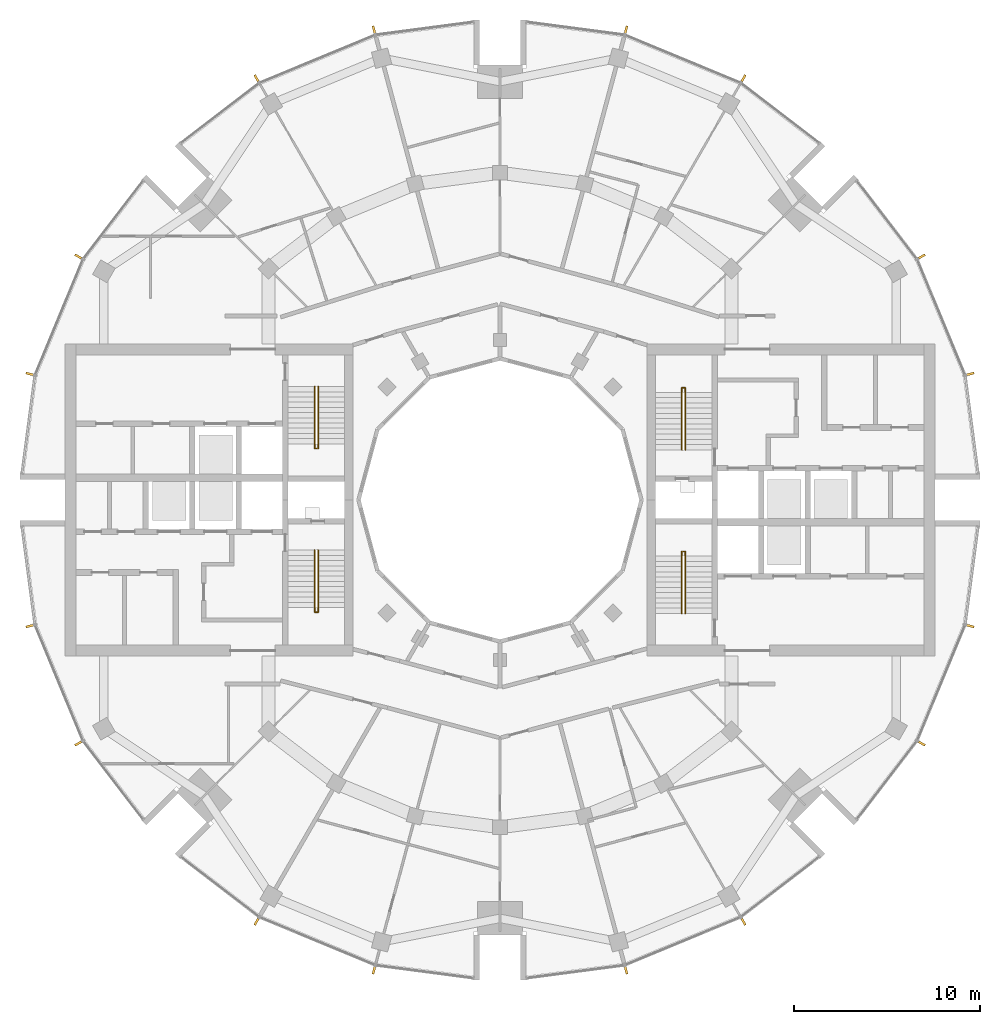
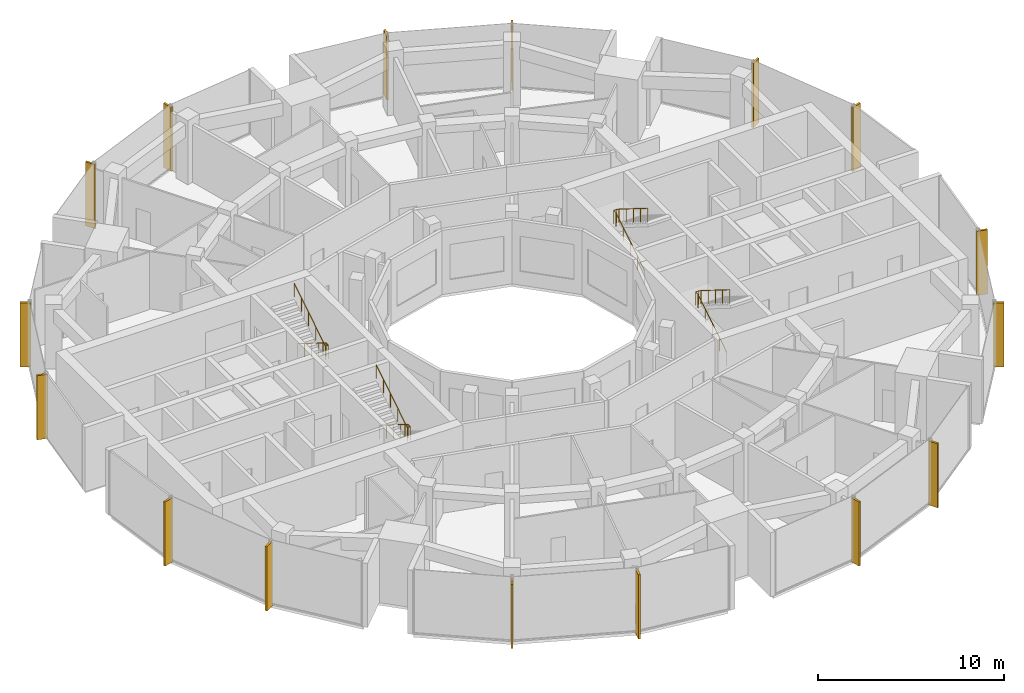
# One storey, part 14 of 15: 16 shading devices, 4 railings.
"""IFC4 building model written with IfcOpenShell, lengths in metres."""

import ifcopenshell
import ifcopenshell.guid

model = None  # the IFC model being written
_history = None  # IfcOwnerHistory: only IFC2X3 demands one
_inside = {}  # id of a spatial element -> (the spatial element, [elements in it])
_under = {}  # id of a project, library or spatial element -> (it, [spatial elements below it])
_declared = {}  # id of a project -> (the project, [libraries it declares])
_typed = {}  # id of a type object -> (the type object, [elements of that type])
_made_of = {}  # id of a material, layer set ... -> (it, [elements and type objects made of it])


def new_model(schema):
    """Start an empty IFC model of exactly this schema.

    Asked for "IFC4X3", IfcOpenShell would pick the latest addendum, in which some entities
    have other attributes; the version numbers below select the first issue.
    IFC2X3 requires an IfcOwnerHistory on every rooted entity: one is made here for all.
    """
    global model, _history
    if schema == "IFC4X3":
        model = ifcopenshell.file(schema_version=(4, 3, 0, 0))
    else:
        model = ifcopenshell.file(schema=schema)
    _inside.clear()
    _under.clear()
    _declared.clear()
    _typed.clear()
    _made_of.clear()
    _history = None
    if model.schema == "IFC2X3":
        org = make("IfcOrganization", Name="unknown")
        user = make(
            "IfcPersonAndOrganization",
            ThePerson=make("IfcPerson", FamilyName="unknown"),
            TheOrganization=org,
        )
        app = make(
            "IfcApplication",
            ApplicationDeveloper=org,
            Version="unknown",
            ApplicationFullName="unknown",
            ApplicationIdentifier="unknown",
        )
        _history = make(
            "IfcOwnerHistory",
            OwningUser=user,
            OwningApplication=app,
            ChangeAction="ADDED",
            CreationDate=0,
        )
    return model


def make(cls, **values):
    """One entity of the class cls with the attributes given. An attribute that is None is left unset."""
    return model.create_entity(
        cls, **{name: value for name, value in values.items() if value is not None}
    )


def rooted(cls, **values):
    """An entity with a GlobalId (a new one), such as an element, a storey or a relation."""
    return make(cls, GlobalId=ifcopenshell.guid.new(), OwnerHistory=_history, **values)


def si_unit(unit_type, name, prefix=None):
    """IfcSIUnit, for example si_unit("LENGTHUNIT", "METRE", prefix="MILLI")."""
    return make("IfcSIUnit", UnitType=unit_type, Prefix=prefix, Name=name)


def assignment(units):
    """IfcUnitAssignment: the units of a project."""
    return None if units is None else make("IfcUnitAssignment", Units=units)


def point(xyz):
    """IfcCartesianPoint."""
    return None if xyz is None else make("IfcCartesianPoint", Coordinates=xyz)


def direction(xyz):
    """IfcDirection."""
    return None if xyz is None else make("IfcDirection", DirectionRatios=xyz)


def frame(location, z_axis=None, x_axis=None):
    """IfcAxis2Placement3D, a coordinate frame: its origin and axes. An axis left out is left unset."""
    return make(
        "IfcAxis2Placement3D",
        Location=point(location),
        Axis=direction(z_axis),
        RefDirection=direction(x_axis),
    )


def frame_2d(location, x_axis=None):
    """IfcAxis2Placement2D, a coordinate frame in the plane: its origin and x axis."""
    return make(
        "IfcAxis2Placement2D", Location=point(location), RefDirection=direction(x_axis)
    )


def origin():
    """The frame at (0, 0, 0) with its axes left unset."""
    return frame((0.0, 0.0, 0.0))


def origin_2d():
    """The frame at (0, 0) in the plane with its x axis left unset."""
    return frame_2d((0.0, 0.0))


def place(relative_to, where):
    """IfcLocalPlacement: puts the frame where relative to a parent placement (None: the world)."""
    return make(
        "IfcLocalPlacement", PlacementRelTo=relative_to, RelativePlacement=where
    )


def context(
    kind, dimensions, precision=None, world=None, true_north=None, identifier=None
):
    """IfcGeometricRepresentationContext, for example the 3D "Model" context."""
    return make(
        "IfcGeometricRepresentationContext",
        ContextIdentifier=identifier,
        ContextType=kind,
        CoordinateSpaceDimension=dimensions,
        Precision=precision,
        WorldCoordinateSystem=world,
        TrueNorth=true_north,
    )


def subcontext(parent, identifier, kind, view, scale=None):
    """IfcGeometricRepresentationSubContext, for example "Body" below "Model"."""
    return make(
        "IfcGeometricRepresentationSubContext",
        ContextIdentifier=identifier,
        ContextType=kind,
        ParentContext=parent,
        TargetScale=scale,
        TargetView=view,
    )


def project(units=None, contexts=None):
    """IfcProject with its units and contexts."""
    return rooted(
        "IfcProject",
        Name="project",
        RepresentationContexts=contexts,
        UnitsInContext=assignment(units),
    )


def spatial(cls, under=None, at=None, **own):
    """A site, building, storey or space (cls), placed at a placement, below another one or the project."""
    s = rooted(cls, ObjectPlacement=at, **own)
    if under is not None:
        _under.setdefault(under.id(), (under, []))[1].append(s)
    return s


def profile(cls, at=None, kind="AREA", **sizes):
    """A parametric profile (cls). Its sizes go by their IFC names, for example OverallWidth=200.0."""
    return make(cls, ProfileType=kind, Position=at, **sizes)


def rectangle(**sizes):
    """IfcRectangleProfileDef."""
    return profile("IfcRectangleProfileDef", **sizes)


def circle(**sizes):
    """IfcCircleProfileDef."""
    return profile("IfcCircleProfileDef", **sizes)


def extrude(swept, where, along, depth):
    """IfcExtrudedAreaSolid: the profile swept, set in the frame where, extruded along a direction by depth."""
    return make(
        "IfcExtrudedAreaSolid",
        SweptArea=swept,
        Position=where,
        ExtrudedDirection=direction(along),
        Depth=depth,
    )


def shape(context_of_items, identifier, shape_type, items):
    """IfcShapeRepresentation: the items that make up one representation, for example the "Body"."""
    return make(
        "IfcShapeRepresentation",
        ContextOfItems=context_of_items,
        RepresentationIdentifier=identifier,
        RepresentationType=shape_type,
        Items=items,
    )


def material(Name=None, Category=None):
    """IfcMaterial."""
    return make("IfcMaterial", Name=Name, Category=Category)


def material_profile(
    of_material, cross_section, Name=None, Category=None, Priority=None
):
    """IfcMaterialProfile: a cross section and its material."""
    return make(
        "IfcMaterialProfile",
        Name=Name,
        Material=of_material,
        Profile=cross_section,
        Priority=Priority,
        Category=Category,
    )


def profile_set(profiles, Name=None, composite=None):
    """IfcMaterialProfileSet."""
    return make(
        "IfcMaterialProfileSet",
        Name=Name,
        MaterialProfiles=profiles,
        CompositeProfile=composite,
    )


def made_of(thing, what):
    """Note that an element or type object is made of a material, layer set ...; save() writes the relation."""
    if what is not None:
        _made_of.setdefault(what.id(), (what, []))[1].append(thing)
    return thing


def type_object(cls, material=None, **own):
    """A type object (cls), such as IfcWallType, which elements share."""
    return made_of(rooted(cls, **own), material)


def element(
    cls,
    number,
    at=None,
    inside=None,
    cuts=None,
    type_object=None,
    material=None,
    context=None,
    identifier="Body",
    shape_type=None,
    held_by="IfcProductDefinitionShape",
    body=None,
    shapes=None,
    **own,
):
    """One element of the class cls, such as IfcWall. Its Tag is "e" and its number.

    at: its placement. inside: the storey or other place that contains it. cuts: it is an
    opening in that element (IfcRelVoidsElement). A single representation is given by context,
    identifier, shape_type and body (its items); several are given by shapes. held_by: the class
    of the entity that holds the representations. save() writes the other relations.
    """
    e = rooted(cls, Tag="e%d" % number, ObjectPlacement=at, **own)
    if body is not None:
        shapes = [shape(context, identifier, shape_type, body)]
    if shapes is not None:
        e.Representation = make(held_by, Representations=shapes)
    if inside is not None:
        _inside.setdefault(inside.id(), (inside, []))[1].append(e)
    if cuts is not None:
        rooted(
            "IfcRelVoidsElement", RelatingBuildingElement=cuts, RelatedOpeningElement=e
        )
    if type_object is not None:
        _typed.setdefault(type_object.id(), (type_object, []))[1].append(e)
    return made_of(e, material)


def aggregate(whole, parts):
    """IfcRelAggregates: a whole, such as a stair, and the parts it consists of."""
    return rooted("IfcRelAggregates", RelatingObject=whole, RelatedObjects=parts)


def save(model, path):
    """Write the relations noted so far, then the file.

    IfcRelAggregates (storeys below a building ...), IfcRelContainedInSpatialStructure (elements
    in a storey), IfcRelDefinesByType, IfcRelAssociatesMaterial and IfcRelDeclares: one each for
    every whole, place, type object, material and project.
    """
    for whole, parts in _under.values():
        aggregate(whole, parts)
    for where, things in _inside.values():
        rooted(
            "IfcRelContainedInSpatialStructure",
            RelatedElements=things,
            RelatingStructure=where,
        )
    for kind, things in _typed.values():
        rooted("IfcRelDefinesByType", RelatedObjects=things, RelatingType=kind)
    for what, things in _made_of.values():
        rooted("IfcRelAssociatesMaterial", RelatedObjects=things, RelatingMaterial=what)
    for by, libraries in _declared.values():
        rooted("IfcRelDeclares", RelatingContext=by, RelatedDefinitions=libraries)
    model.write(path)


model = new_model("IFC4")

# Units and contexts
model_context = context("Model", 3, precision=1e-05, world=origin(), true_north=direction((0.0, 1.0)))
body_context = subcontext(model_context, "Body", "Model", "MODEL_VIEW")
ifc_project = project(units=[si_unit("LENGTHUNIT", "METRE"), si_unit("AREAUNIT", "SQUARE_METRE"), si_unit("VOLUMEUNIT", "CUBIC_METRE"), si_unit("PLANEANGLEUNIT", "RADIAN"), si_unit("MASSUNIT", "GRAM", prefix="KILO")], contexts=[model_context])

# Site, building, storey
site_placement = place(None, origin())
site = spatial("IfcSite", under=ifc_project, at=site_placement, CompositionType="ELEMENT")
building_placement = place(site_placement, origin())
building = spatial("IfcBuilding", under=site, at=building_placement, Name="Torre Brocal", CompositionType="ELEMENT")
storey_placement = place(building_placement, frame((0.0, 0.0, 237.300048828125)))
storey = spatial("IfcBuildingStorey", under=building, at=storey_placement, Name="L54", CompositionType="ELEMENT", Elevation=237.300048828125)

# Shading devices
ifc_material_1 = material(Name="Aluminium, black anodised", Category="aluminium")
ifc_material_profile = material_profile(ifc_material_1, rectangle(XDim=0.1201171875, YDim=0.60009765625, at=origin_2d()), Name="FIN 120X600 4200 HIGH")
ifc_profile_set = profile_set([ifc_material_profile], Name="Aluminium, black anodised")
shading_device_type = type_object("IfcShadingDeviceType", Name="FIN 120X600 4200 HIGH", PredefinedType="USERDEFINED", material=ifc_profile_set)
for number, where, z_axis, x_axis, name in (
    (1, (105.208984375, 81.754638671875, -0.150146484375), (0.0, 0.0, 1.0), (-0.258819045103, 0.965925826289, 0.0), "FIN"),
    (2, (102.601806640625, 88.049072265625, -0.150146484375), (0.0, 0.0, 1.0), (-0.5, 0.866025403784, 0.0), "FIN"),
    (3, (93.049072265625, 97.601806640625, -0.150146484375), (0.0, 0.0, 1.0), (-0.866025403784, 0.5, 0.0), "FIN"),
    (4, (86.754638671875, 100.208984375, -0.150146484375), (0.0, 0.0, 1.0), (-0.965925826289, 0.258819045103, 0.0), "FIN"),
    (5, (73.245361328125, 100.208984375, -0.150146484375), (0.0, 0.0, 1.0), (-0.965925826289, -0.258819045103, 0.0), "FIN"),
    (6, (66.950927734375, 97.601806640625, -0.150146484375), (0.0, 0.0, 1.0), (-0.866025403784, -0.5, 0.0), "FIN"),
    (7, (57.398193359375, 88.049072265625, -0.150146484375), (0.0, 0.0, 1.0), (-0.5, -0.866025403784, 0.0), "FIN"),
    (8, (54.791015625, 81.754638671875, -0.150146484375), (0.0, 0.0, 1.0), (-0.258819045103, -0.965925826289, 0.0), "FIN"),
    (9, (54.791015625, 68.245361328125, -0.150146484375), (0.0, 0.0, 1.0), (0.258819045103, -0.965925826289, 0.0), "FIN"),
    (10, (57.398193359375, 61.950927734375, -0.150146484375), (0.0, 0.0, 1.0), (0.5, -0.866025403784, 0.0), "FIN"),
    (11, (66.950927734375, 52.398193359375, -0.150146484375), (0.0, 0.0, 1.0), (0.866025403784, -0.5, 0.0), "FIN"),
    (12, (73.245361328125, 49.791015625, -0.150146484375), (0.0, 0.0, 1.0), (0.965925826289, -0.258819045103, 0.0), "FIN"),
    (13, (86.754638671875, 49.791015625, -0.150146484375), (0.0, 0.0, 1.0), (0.965925826289, 0.258819045103, 0.0), "FIN"),
    (14, (93.049072265625, 52.398193359375, -0.150146484375), (0.0, 0.0, 1.0), (0.866025403784, 0.5, 0.0), "FIN"),
    (15, (102.601806640625, 61.950927734375, -0.150146484375), (0.0, 0.0, 1.0), (0.5, 0.866025403784, 0.0), "FIN"),
    (16, (105.208984375, 68.245361328125, -0.150146484375), (0.0, 0.0, 1.0), (0.258819045103, 0.965925826289, 0.0), "FIN"),
):
    element("IfcShadingDevice", number, at=place(storey_placement, frame(where, z_axis=z_axis, x_axis=x_axis)), inside=storey, type_object=shading_device_type, Name=name, ObjectType="FIN", PredefinedType="USERDEFINED", context=body_context, shape_type="SweptSolid", body=[
        extrude(rectangle(XDim=0.1201171875, YDim=0.60009765625, at=origin_2d()), origin(), (0.0, 0.0, 1.0), 4.2001953125),
    ])

# Railings
ifc_material_2 = material(Name="Stainless steel AISI 316", Category="steel")
railing_type = type_object("IfcRailingType", Name="STAIR HANDRAIL", PredefinedType="HANDRAIL", material=ifc_material_2)
railing_1_placement = place(storey_placement, frame((89.780029296875, 77.699951171875, 0.175048828125)))
element("IfcRailing", 17, at=railing_1_placement, inside=storey, type_object=railing_type, Name="HANDRAIL ST1", PredefinedType="HANDRAIL", context=body_context, shape_type="SweptSolid", body=[
    extrude(circle(Radius=0.02392578125, at=origin_2d()), frame((0.0, 0.0, 0.8759765625), z_axis=(0.0, 0.848028513186, 0.529950602248), x_axis=(-1.0, 0.0, 0.0)), (0.0, 0.0, 1.0), 3.632080078125),
    extrude(circle(Radius=0.02392578125, at=origin_2d()), frame((0.0, 3.080078125, 2.80078125), z_axis=(0.0, 1.0, 0.0), x_axis=(-1.0, 0.0, 0.0)), (0.0, 0.0, 1.0), 0.25),
    extrude(circle(Radius=0.02392578125, at=origin_2d()), frame((0.0, 3.330078125, 2.80078125), z_axis=(1.0, 0.0, 0.0), x_axis=(0.0, 1.0, 0.0)), (0.0, 0.0, 1.0), 0.18994140625),
    extrude(circle(Radius=0.02392578125, at=origin_2d()), frame((0.18994140625, 3.330078125, 2.80078125), z_axis=(0.0, -0.819156749665, 0.573569716318), x_axis=(1.0, 0.0, 0.0)), (0.0, 0.0, 1.0), 0.30517578125),
    extrude(circle(Radius=0.02392578125, at=origin_2d()), frame((0.18994140625, 3.080078125, 2.9755859375), z_axis=(0.0, -0.847998304005, 0.529998940003), x_axis=(1.0, 0.0, 0.0)), (0.0, 0.0, 1.0), 3.632080078125),
    extrude(circle(Radius=0.02099609375, at=origin_2d()), origin(), (0.0, 0.0, 1.0), 0.851806640625),
    extrude(circle(Radius=0.02099609375, at=origin_2d()), frame((0.0, 0.77001953125, 0.481201171875)), (0.0, 0.0, 1.0), 0.851806640625),
    extrude(circle(Radius=0.02099609375, at=origin_2d()), frame((0.0, 1.5400390625, 0.96240234375)), (0.0, 0.0, 1.0), 0.851806640625),
    extrude(circle(Radius=0.02099609375, at=origin_2d()), frame((0.0, 2.31005859375, 1.443603515625)), (0.0, 0.0, 1.0), 0.851806640625),
    extrude(circle(Radius=0.02099609375, at=origin_2d()), frame((0.0, 3.080078125, 1.9248046875)), (0.0, 0.0, 1.0), 0.851806640625),
    extrude(circle(Radius=0.02099609375, at=origin_2d()), frame((0.0, 3.330078125, 1.9248046875)), (0.0, 0.0, 1.0), 0.851806640625),
    extrude(circle(Radius=0.02099609375, at=origin_2d()), frame((0.18994140625, 3.330078125, 1.9248046875)), (0.0, 0.0, 1.0), 0.851806640625),
    extrude(circle(Radius=0.02099609375, at=origin_2d()), frame((0.18994140625, 3.080078125, 2.099853515625)), (0.0, 0.0, 1.0), 0.851806640625),
    extrude(circle(Radius=0.02099609375, at=origin_2d()), frame((0.18994140625, 2.31005859375, 2.5810546875)), (0.0, 0.0, 1.0), 0.851806640625),
    extrude(circle(Radius=0.02099609375, at=origin_2d()), frame((0.18994140625, 1.5400390625, 3.0625)), (0.0, 0.0, 1.0), 0.851806640625),
    extrude(circle(Radius=0.02099609375, at=origin_2d()), frame((0.18994140625, 0.77001953125, 3.543701171875)), (0.0, 0.0, 1.0), 0.851806640625),
    extrude(circle(Radius=0.02099609375, at=origin_2d()), frame((0.18994140625, 0.0, 4.02490234375)), (0.0, 0.0, 1.0), 0.851806640625),
])
railing_2_placement = place(storey_placement, frame((89.780029296875, 68.89990234375, 0.175048828125)))
element("IfcRailing", 18, at=railing_2_placement, inside=storey, type_object=railing_type, Name="HANDRAIL ST2", PredefinedType="HANDRAIL", context=body_context, shape_type="SweptSolid", body=[
    extrude(circle(Radius=0.02392578125, at=origin_2d()), frame((0.0, 0.0, 0.8759765625), z_axis=(0.0, 0.848028513186, 0.529950602248), x_axis=(-1.0, 0.0, 0.0)), (0.0, 0.0, 1.0), 3.632080078125),
    extrude(circle(Radius=0.02392578125, at=origin_2d()), frame((0.0, 3.080078125, 2.80078125), z_axis=(0.0, 1.0, 0.0), x_axis=(-1.0, 0.0, 0.0)), (0.0, 0.0, 1.0), 0.25),
    extrude(circle(Radius=0.02392578125, at=origin_2d()), frame((0.0, 3.330078125, 2.80078125), z_axis=(1.0, 0.0, 0.0), x_axis=(0.0, 1.0, 0.0)), (0.0, 0.0, 1.0), 0.18994140625),
    extrude(circle(Radius=0.02392578125, at=origin_2d()), frame((0.18994140625, 3.330078125, 2.80078125), z_axis=(0.0, -0.819156749665, 0.573569716318), x_axis=(1.0, 0.0, 0.0)), (0.0, 0.0, 1.0), 0.30517578125),
    extrude(circle(Radius=0.02392578125, at=origin_2d()), frame((0.18994140625, 3.080078125, 2.9755859375), z_axis=(0.0, -0.847998304005, 0.529998940003), x_axis=(1.0, 0.0, 0.0)), (0.0, 0.0, 1.0), 3.632080078125),
    extrude(circle(Radius=0.02099609375, at=origin_2d()), origin(), (0.0, 0.0, 1.0), 0.851806640625),
    extrude(circle(Radius=0.02099609375, at=origin_2d()), frame((0.0, 0.77001953125, 0.481201171875)), (0.0, 0.0, 1.0), 0.851806640625),
    extrude(circle(Radius=0.02099609375, at=origin_2d()), frame((0.0, 1.5400390625, 0.96240234375)), (0.0, 0.0, 1.0), 0.851806640625),
    extrude(circle(Radius=0.02099609375, at=origin_2d()), frame((0.0, 2.31005859375, 1.443603515625)), (0.0, 0.0, 1.0), 0.851806640625),
    extrude(circle(Radius=0.02099609375, at=origin_2d()), frame((0.0, 3.080078125, 1.9248046875)), (0.0, 0.0, 1.0), 0.851806640625),
    extrude(circle(Radius=0.02099609375, at=origin_2d()), frame((0.0, 3.330078125, 1.9248046875)), (0.0, 0.0, 1.0), 0.851806640625),
    extrude(circle(Radius=0.02099609375, at=origin_2d()), frame((0.18994140625, 3.330078125, 1.9248046875)), (0.0, 0.0, 1.0), 0.851806640625),
    extrude(circle(Radius=0.02099609375, at=origin_2d()), frame((0.18994140625, 3.080078125, 2.099853515625)), (0.0, 0.0, 1.0), 0.851806640625),
    extrude(circle(Radius=0.02099609375, at=origin_2d()), frame((0.18994140625, 2.31005859375, 2.5810546875)), (0.0, 0.0, 1.0), 0.851806640625),
    extrude(circle(Radius=0.02099609375, at=origin_2d()), frame((0.18994140625, 1.5400390625, 3.0625)), (0.0, 0.0, 1.0), 0.851806640625),
    extrude(circle(Radius=0.02099609375, at=origin_2d()), frame((0.18994140625, 0.77001953125, 3.543701171875)), (0.0, 0.0, 1.0), 0.851806640625),
    extrude(circle(Radius=0.02099609375, at=origin_2d()), frame((0.18994140625, 0.0, 4.02490234375)), (0.0, 0.0, 1.0), 0.851806640625),
])
railing_3_placement = place(storey_placement, frame((70.219970703125, 72.300048828125, 0.175048828125)))
element("IfcRailing", 19, at=railing_3_placement, inside=storey, type_object=railing_type, Name="HANDRAIL ST3", PredefinedType="HANDRAIL", context=body_context, shape_type="SweptSolid", body=[
    extrude(circle(Radius=0.02392578125, at=origin_2d()), frame((0.0, 0.0, 0.8759765625), z_axis=(0.0, -0.848028513186, 0.529950602248), x_axis=(1.0, 0.0, 0.0)), (0.0, 0.0, 1.0), 3.632080078125),
    extrude(circle(Radius=0.02392578125, at=origin_2d()), frame((0.0, -3.080078125, 2.80078125), z_axis=(0.0, -1.0, 0.0), x_axis=(1.0, 0.0, 0.0)), (0.0, 0.0, 1.0), 0.25),
    extrude(circle(Radius=0.02392578125, at=origin_2d()), frame((0.0, -3.330078125, 2.80078125), z_axis=(-1.0, 0.0, 0.0), x_axis=(0.0, -1.0, 0.0)), (0.0, 0.0, 1.0), 0.18994140625),
    extrude(circle(Radius=0.02392578125, at=origin_2d()), frame((-0.18994140625, -3.330078125, 2.80078125), z_axis=(0.0, 0.819156749665, 0.573569716318), x_axis=(-1.0, 0.0, 0.0)), (0.0, 0.0, 1.0), 0.30517578125),
    extrude(circle(Radius=0.02392578125, at=origin_2d()), frame((-0.18994140625, -3.080078125, 2.9755859375), z_axis=(0.0, 0.847998304005, 0.529998940003), x_axis=(-1.0, 0.0, 0.0)), (0.0, 0.0, 1.0), 3.632080078125),
    extrude(circle(Radius=0.02099609375, at=origin_2d()), origin(), (0.0, 0.0, 1.0), 0.851806640625),
    extrude(circle(Radius=0.02099609375, at=origin_2d()), frame((0.0, -0.77001953125, 0.481201171875)), (0.0, 0.0, 1.0), 0.851806640625),
    extrude(circle(Radius=0.02099609375, at=origin_2d()), frame((0.0, -1.5400390625, 0.96240234375)), (0.0, 0.0, 1.0), 0.851806640625),
    extrude(circle(Radius=0.02099609375, at=origin_2d()), frame((0.0, -2.31005859375, 1.443603515625)), (0.0, 0.0, 1.0), 0.851806640625),
    extrude(circle(Radius=0.02099609375, at=origin_2d()), frame((0.0, -3.080078125, 1.9248046875)), (0.0, 0.0, 1.0), 0.851806640625),
    extrude(circle(Radius=0.02099609375, at=origin_2d()), frame((0.0, -3.330078125, 1.9248046875)), (0.0, 0.0, 1.0), 0.851806640625),
    extrude(circle(Radius=0.02099609375, at=origin_2d()), frame((-0.18994140625, -3.330078125, 1.9248046875)), (0.0, 0.0, 1.0), 0.851806640625),
    extrude(circle(Radius=0.02099609375, at=origin_2d()), frame((-0.18994140625, -3.080078125, 2.099853515625)), (0.0, 0.0, 1.0), 0.851806640625),
    extrude(circle(Radius=0.02099609375, at=origin_2d()), frame((-0.18994140625, -2.31005859375, 2.5810546875)), (0.0, 0.0, 1.0), 0.851806640625),
    extrude(circle(Radius=0.02099609375, at=origin_2d()), frame((-0.18994140625, -1.5400390625, 3.0625)), (0.0, 0.0, 1.0), 0.851806640625),
    extrude(circle(Radius=0.02099609375, at=origin_2d()), frame((-0.18994140625, -0.77001953125, 3.543701171875)), (0.0, 0.0, 1.0), 0.851806640625),
    extrude(circle(Radius=0.02099609375, at=origin_2d()), frame((-0.18994140625, 0.0, 4.02490234375)), (0.0, 0.0, 1.0), 0.851806640625),
])
railing_4_placement = place(storey_placement, frame((70.219970703125, 81.10009765625, 0.175048828125)))
element("IfcRailing", 20, at=railing_4_placement, inside=storey, type_object=railing_type, Name="HANDRAIL ST4", PredefinedType="HANDRAIL", context=body_context, shape_type="SweptSolid", body=[
    extrude(circle(Radius=0.02392578125, at=origin_2d()), frame((0.0, 0.0, 0.8759765625), z_axis=(0.0, -0.848028513186, 0.529950602248), x_axis=(1.0, 0.0, 0.0)), (0.0, 0.0, 1.0), 3.632080078125),
    extrude(circle(Radius=0.02392578125, at=origin_2d()), frame((0.0, -3.080078125, 2.80078125), z_axis=(0.0, -1.0, 0.0), x_axis=(1.0, 0.0, 0.0)), (0.0, 0.0, 1.0), 0.25),
    extrude(circle(Radius=0.02392578125, at=origin_2d()), frame((0.0, -3.330078125, 2.80078125), z_axis=(-1.0, 0.0, 0.0), x_axis=(0.0, -1.0, 0.0)), (0.0, 0.0, 1.0), 0.18994140625),
    extrude(circle(Radius=0.02392578125, at=origin_2d()), frame((-0.18994140625, -3.330078125, 2.80078125), z_axis=(0.0, 0.819156749665, 0.573569716318), x_axis=(-1.0, 0.0, 0.0)), (0.0, 0.0, 1.0), 0.30517578125),
    extrude(circle(Radius=0.02392578125, at=origin_2d()), frame((-0.18994140625, -3.080078125, 2.9755859375), z_axis=(0.0, 0.847998304005, 0.529998940003), x_axis=(-1.0, 0.0, 0.0)), (0.0, 0.0, 1.0), 3.632080078125),
    extrude(circle(Radius=0.02099609375, at=origin_2d()), origin(), (0.0, 0.0, 1.0), 0.851806640625),
    extrude(circle(Radius=0.02099609375, at=origin_2d()), frame((0.0, -0.77001953125, 0.481201171875)), (0.0, 0.0, 1.0), 0.851806640625),
    extrude(circle(Radius=0.02099609375, at=origin_2d()), frame((0.0, -1.5400390625, 0.96240234375)), (0.0, 0.0, 1.0), 0.851806640625),
    extrude(circle(Radius=0.02099609375, at=origin_2d()), frame((0.0, -2.31005859375, 1.443603515625)), (0.0, 0.0, 1.0), 0.851806640625),
    extrude(circle(Radius=0.02099609375, at=origin_2d()), frame((0.0, -3.080078125, 1.9248046875)), (0.0, 0.0, 1.0), 0.851806640625),
    extrude(circle(Radius=0.02099609375, at=origin_2d()), frame((0.0, -3.330078125, 1.9248046875)), (0.0, 0.0, 1.0), 0.851806640625),
    extrude(circle(Radius=0.02099609375, at=origin_2d()), frame((-0.18994140625, -3.330078125, 1.9248046875)), (0.0, 0.0, 1.0), 0.851806640625),
    extrude(circle(Radius=0.02099609375, at=origin_2d()), frame((-0.18994140625, -3.080078125, 2.099853515625)), (0.0, 0.0, 1.0), 0.851806640625),
    extrude(circle(Radius=0.02099609375, at=origin_2d()), frame((-0.18994140625, -2.31005859375, 2.5810546875)), (0.0, 0.0, 1.0), 0.851806640625),
    extrude(circle(Radius=0.02099609375, at=origin_2d()), frame((-0.18994140625, -1.5400390625, 3.0625)), (0.0, 0.0, 1.0), 0.851806640625),
    extrude(circle(Radius=0.02099609375, at=origin_2d()), frame((-0.18994140625, -0.77001953125, 3.543701171875)), (0.0, 0.0, 1.0), 0.851806640625),
    extrude(circle(Radius=0.02099609375, at=origin_2d()), frame((-0.18994140625, 0.0, 4.02490234375)), (0.0, 0.0, 1.0), 0.851806640625),
])

save(model, "model.ifc")
